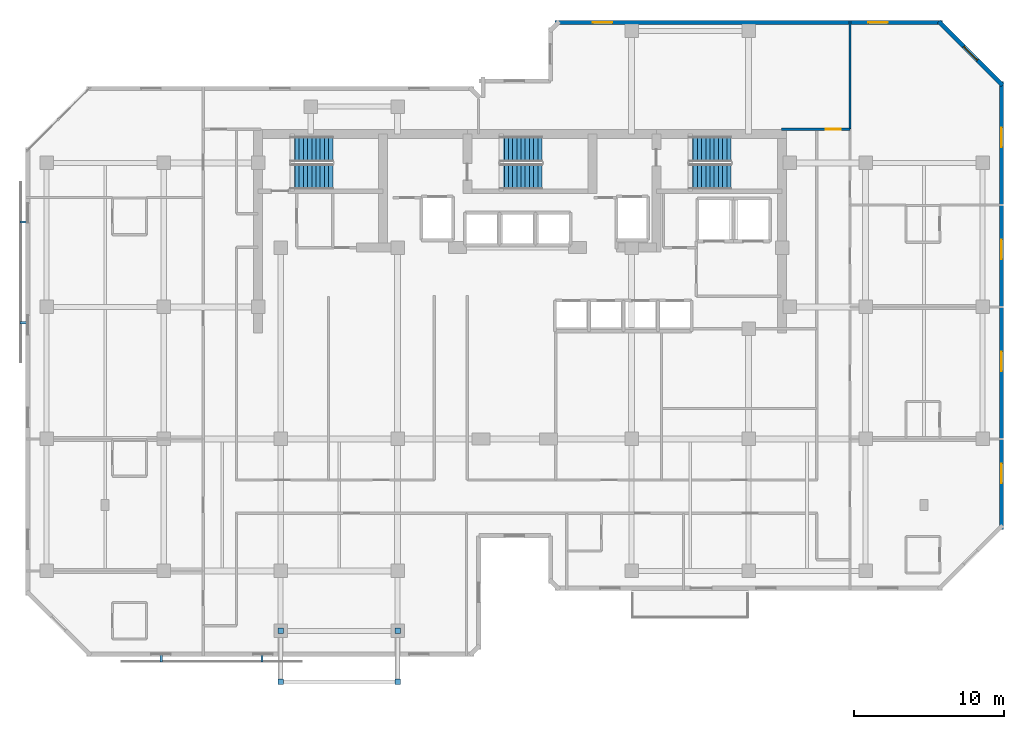
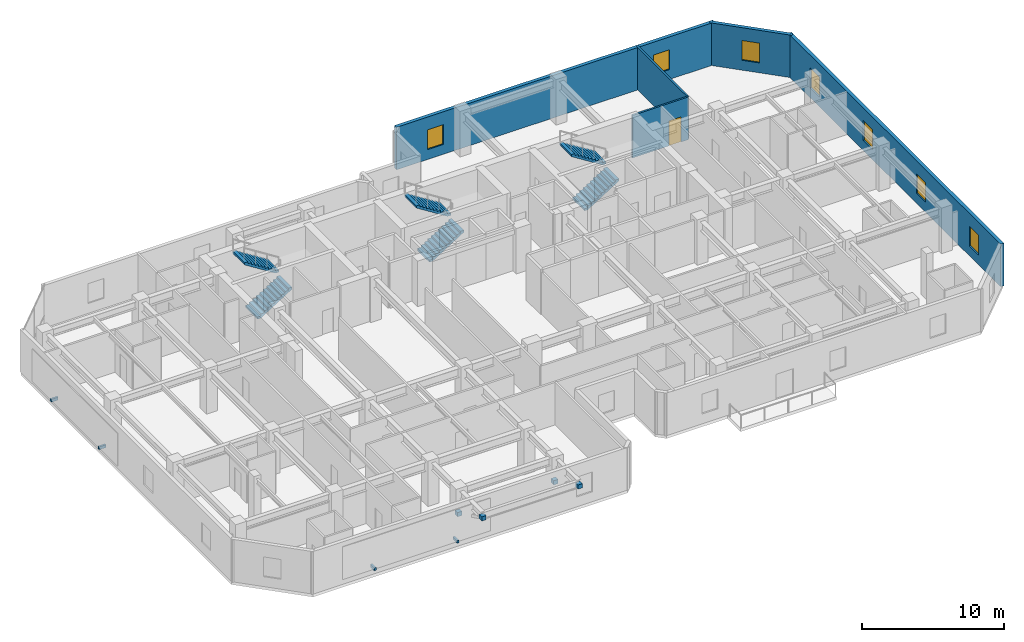
# One storey, part 8 of 10: 8 discrete accessories, 7 windows, 6 stair flights, 5 walls, 1 door, 8 openings, 3 elements without a shape of their own.
"""IFC4 building model written with IfcOpenShell, lengths in metres."""

import ifcopenshell
import ifcopenshell.guid

model = None  # the IFC model being written
_history = None  # IfcOwnerHistory: only IFC2X3 demands one
_inside = {}  # id of a spatial element -> (the spatial element, [elements in it])
_under = {}  # id of a project, library or spatial element -> (it, [spatial elements below it])
_declared = {}  # id of a project -> (the project, [libraries it declares])
_typed = {}  # id of a type object -> (the type object, [elements of that type])
_made_of = {}  # id of a material, layer set ... -> (it, [elements and type objects made of it])


def new_model(schema):
    """Start an empty IFC model of exactly this schema.

    Asked for "IFC4X3", IfcOpenShell would pick the latest addendum, in which some entities
    have other attributes; the version numbers below select the first issue.
    IFC2X3 requires an IfcOwnerHistory on every rooted entity: one is made here for all.
    """
    global model, _history
    if schema == "IFC4X3":
        model = ifcopenshell.file(schema_version=(4, 3, 0, 0))
    else:
        model = ifcopenshell.file(schema=schema)
    _inside.clear()
    _under.clear()
    _declared.clear()
    _typed.clear()
    _made_of.clear()
    _history = None
    if model.schema == "IFC2X3":
        org = make("IfcOrganization", Name="unknown")
        user = make(
            "IfcPersonAndOrganization",
            ThePerson=make("IfcPerson", FamilyName="unknown"),
            TheOrganization=org,
        )
        app = make(
            "IfcApplication",
            ApplicationDeveloper=org,
            Version="unknown",
            ApplicationFullName="unknown",
            ApplicationIdentifier="unknown",
        )
        _history = make(
            "IfcOwnerHistory",
            OwningUser=user,
            OwningApplication=app,
            ChangeAction="ADDED",
            CreationDate=0,
        )
    return model


def make(cls, **values):
    """One entity of the class cls with the attributes given. An attribute that is None is left unset."""
    return model.create_entity(
        cls, **{name: value for name, value in values.items() if value is not None}
    )


def rooted(cls, **values):
    """An entity with a GlobalId (a new one), such as an element, a storey or a relation."""
    return make(cls, GlobalId=ifcopenshell.guid.new(), OwnerHistory=_history, **values)


def si_unit(unit_type, name, prefix=None):
    """IfcSIUnit, for example si_unit("LENGTHUNIT", "METRE", prefix="MILLI")."""
    return make("IfcSIUnit", UnitType=unit_type, Prefix=prefix, Name=name)


def assignment(units):
    """IfcUnitAssignment: the units of a project."""
    return None if units is None else make("IfcUnitAssignment", Units=units)


def point(xyz):
    """IfcCartesianPoint."""
    return None if xyz is None else make("IfcCartesianPoint", Coordinates=xyz)


def direction(xyz):
    """IfcDirection."""
    return None if xyz is None else make("IfcDirection", DirectionRatios=xyz)


def frame(location, z_axis=None, x_axis=None):
    """IfcAxis2Placement3D, a coordinate frame: its origin and axes. An axis left out is left unset."""
    return make(
        "IfcAxis2Placement3D",
        Location=point(location),
        Axis=direction(z_axis),
        RefDirection=direction(x_axis),
    )


def frame_2d(location, x_axis=None):
    """IfcAxis2Placement2D, a coordinate frame in the plane: its origin and x axis."""
    return make(
        "IfcAxis2Placement2D", Location=point(location), RefDirection=direction(x_axis)
    )


def origin():
    """The frame at (0, 0, 0) with its axes left unset."""
    return frame((0.0, 0.0, 0.0))


def origin_2d():
    """The frame at (0, 0) in the plane with its x axis left unset."""
    return frame_2d((0.0, 0.0))


def place(relative_to, where):
    """IfcLocalPlacement: puts the frame where relative to a parent placement (None: the world)."""
    return make(
        "IfcLocalPlacement", PlacementRelTo=relative_to, RelativePlacement=where
    )


def context(
    kind, dimensions, precision=None, world=None, true_north=None, identifier=None
):
    """IfcGeometricRepresentationContext, for example the 3D "Model" context."""
    return make(
        "IfcGeometricRepresentationContext",
        ContextIdentifier=identifier,
        ContextType=kind,
        CoordinateSpaceDimension=dimensions,
        Precision=precision,
        WorldCoordinateSystem=world,
        TrueNorth=true_north,
    )


def subcontext(parent, identifier, kind, view, scale=None):
    """IfcGeometricRepresentationSubContext, for example "Body" below "Model"."""
    return make(
        "IfcGeometricRepresentationSubContext",
        ContextIdentifier=identifier,
        ContextType=kind,
        ParentContext=parent,
        TargetScale=scale,
        TargetView=view,
    )


def project(units=None, contexts=None):
    """IfcProject with its units and contexts."""
    return rooted(
        "IfcProject",
        Name="project",
        RepresentationContexts=contexts,
        UnitsInContext=assignment(units),
    )


def spatial(cls, under=None, at=None, **own):
    """A site, building, storey or space (cls), placed at a placement, below another one or the project."""
    s = rooted(cls, ObjectPlacement=at, **own)
    if under is not None:
        _under.setdefault(under.id(), (under, []))[1].append(s)
    return s


def polyline(points):
    """IfcPolyline through the points."""
    return make("IfcPolyline", Points=[point(p) for p in points])


def profile(cls, at=None, kind="AREA", **sizes):
    """A parametric profile (cls). Its sizes go by their IFC names, for example OverallWidth=200.0."""
    return make(cls, ProfileType=kind, Position=at, **sizes)


def rectangle(**sizes):
    """IfcRectangleProfileDef."""
    return profile("IfcRectangleProfileDef", **sizes)


def outline(outer, holes=None, kind="AREA"):
    """IfcArbitraryClosedProfileDef: a profile drawn as a closed curve; with holes, ...WithVoids."""
    if holes is None:
        return make("IfcArbitraryClosedProfileDef", ProfileType=kind, OuterCurve=outer)
    return make(
        "IfcArbitraryProfileDefWithVoids",
        ProfileType=kind,
        OuterCurve=outer,
        InnerCurves=holes,
    )


def extrude(swept, where, along, depth):
    """IfcExtrudedAreaSolid: the profile swept, set in the frame where, extruded along a direction by depth."""
    return make(
        "IfcExtrudedAreaSolid",
        SweptArea=swept,
        Position=where,
        ExtrudedDirection=direction(along),
        Depth=depth,
    )


def shape(context_of_items, identifier, shape_type, items):
    """IfcShapeRepresentation: the items that make up one representation, for example the "Body"."""
    return make(
        "IfcShapeRepresentation",
        ContextOfItems=context_of_items,
        RepresentationIdentifier=identifier,
        RepresentationType=shape_type,
        Items=items,
    )


def material(Name=None, Category=None):
    """IfcMaterial."""
    return make("IfcMaterial", Name=Name, Category=Category)


def layer(
    of_material, thickness, ventilated=None, Name=None, Category=None, Priority=None
):
    """IfcMaterialLayer: one layer of a wall or slab, of a material (None: an air gap)."""
    return make(
        "IfcMaterialLayer",
        Material=of_material,
        LayerThickness=thickness,
        IsVentilated=ventilated,
        Name=Name,
        Category=Category,
        Priority=Priority,
    )


def layer_set(layers, Name=None):
    """IfcMaterialLayerSet."""
    return make("IfcMaterialLayerSet", MaterialLayers=layers, LayerSetName=Name)


def made_of(thing, what):
    """Note that an element or type object is made of a material, layer set ...; save() writes the relation."""
    if what is not None:
        _made_of.setdefault(what.id(), (what, []))[1].append(thing)
    return thing


def type_object(cls, material=None, **own):
    """A type object (cls), such as IfcWallType, which elements share."""
    return made_of(rooted(cls, **own), material)


def element(
    cls,
    number,
    at=None,
    inside=None,
    cuts=None,
    type_object=None,
    material=None,
    context=None,
    identifier="Body",
    shape_type=None,
    held_by="IfcProductDefinitionShape",
    body=None,
    shapes=None,
    **own,
):
    """One element of the class cls, such as IfcWall. Its Tag is "e" and its number.

    at: its placement. inside: the storey or other place that contains it. cuts: it is an
    opening in that element (IfcRelVoidsElement). A single representation is given by context,
    identifier, shape_type and body (its items); several are given by shapes. held_by: the class
    of the entity that holds the representations. save() writes the other relations.
    """
    e = rooted(cls, Tag="e%d" % number, ObjectPlacement=at, **own)
    if body is not None:
        shapes = [shape(context, identifier, shape_type, body)]
    if shapes is not None:
        e.Representation = make(held_by, Representations=shapes)
    if inside is not None:
        _inside.setdefault(inside.id(), (inside, []))[1].append(e)
    if cuts is not None:
        rooted(
            "IfcRelVoidsElement", RelatingBuildingElement=cuts, RelatedOpeningElement=e
        )
    if type_object is not None:
        _typed.setdefault(type_object.id(), (type_object, []))[1].append(e)
    return made_of(e, material)


def fill(opening, filler):
    """IfcRelFillsElement: the door or window that sits in an opening."""
    return rooted(
        "IfcRelFillsElement",
        RelatingOpeningElement=opening,
        RelatedBuildingElement=filler,
    )


def aggregate(whole, parts):
    """IfcRelAggregates: a whole, such as a stair, and the parts it consists of."""
    return rooted("IfcRelAggregates", RelatingObject=whole, RelatedObjects=parts)


def save(model, path):
    """Write the relations noted so far, then the file.

    IfcRelAggregates (storeys below a building ...), IfcRelContainedInSpatialStructure (elements
    in a storey), IfcRelDefinesByType, IfcRelAssociatesMaterial and IfcRelDeclares: one each for
    every whole, place, type object, material and project.
    """
    for whole, parts in _under.values():
        aggregate(whole, parts)
    for where, things in _inside.values():
        rooted(
            "IfcRelContainedInSpatialStructure",
            RelatedElements=things,
            RelatingStructure=where,
        )
    for kind, things in _typed.values():
        rooted("IfcRelDefinesByType", RelatedObjects=things, RelatingType=kind)
    for what, things in _made_of.values():
        rooted("IfcRelAssociatesMaterial", RelatedObjects=things, RelatingMaterial=what)
    for by, libraries in _declared.values():
        rooted("IfcRelDeclares", RelatingContext=by, RelatedDefinitions=libraries)
    model.write(path)


model = new_model("IFC4")

# Units and contexts
model_context = context("Model", 3, precision=1e-05, world=origin(), true_north=direction((0.0, 1.0)))
body_context = subcontext(model_context, "Body", "Model", "MODEL_VIEW")
ifc_project = project(units=[si_unit("LENGTHUNIT", "METRE"), si_unit("AREAUNIT", "SQUARE_METRE"), si_unit("VOLUMEUNIT", "CUBIC_METRE"), si_unit("PLANEANGLEUNIT", "RADIAN"), si_unit("MASSUNIT", "GRAM", prefix="KILO")], contexts=[model_context])

# Site, building, storey
site_placement = place(None, origin())
site = spatial("IfcSite", under=ifc_project, at=site_placement, CompositionType="ELEMENT")
building_placement = place(site_placement, origin())
building = spatial("IfcBuilding", under=site, at=building_placement, Name="Kestravale Grand Hotel", CompositionType="ELEMENT")
storey_placement = place(building_placement, frame((0.0, 0.0, 196.800048828125)))
storey = spatial("IfcBuildingStorey", under=building, at=storey_placement, Name="L49", CompositionType="ELEMENT", Elevation=196.800048828125)

# Wall, openings, windows
ifc_material_1 = material(Name="Precast concrete f'c 45 MPa", Category="concrete")
ifc_layer_1 = layer(ifc_material_1, 0.280029296875)
ifc_layer_set_1 = layer_set([ifc_layer_1], Name="EW-PREC-280")
wall_type_1 = type_object("IfcWallType", Name="EW-PREC-280", PredefinedType="SOLIDWALL", material=ifc_layer_set_1)
wall_1_placement = place(storey_placement, frame((71.4599609375, 13.9599609375, 0.0), z_axis=(0.0, 0.0, 1.0), x_axis=(0.0, 1.0, 0.0)))
wall_1 = element("IfcWall", 1, at=wall_1_placement, inside=storey, type_object=wall_type_1, Name="L49 fluted precast facade wall 9", PredefinedType="SOLIDWALL", context=body_context, shape_type="SweptSolid", body=[
    extrude(rectangle(XDim=29.880126953125, YDim=0.280029296875, at=frame_2d((14.93994140625, 0.0))), origin(), (0.0, 0.0, 1.0), 3.64990234375),
])
opening_1_placement = place(wall_1_placement, frame((3.0849609375, 0.0, 0.85009765625)))
opening_1 = element("IfcOpeningElement", 2, at=opening_1_placement, cuts=wall_1, Name="Opening W-GUEST-1300", PredefinedType="OPENING", context=body_context, shape_type="SweptSolid", body=[
    extrude(rectangle(XDim=1.300048828125, YDim=1.699951171875, at=frame_2d((0.64990234375, 0.85009765625))), frame((0.0, 0.14990234375, 0.0), z_axis=(0.0, -1.0, 0.0), x_axis=(1.0, 0.0, 0.0)), (0.0, 0.0, 1.0), 0.300048828125),
])
opening_2_placement = place(wall_1_placement, frame((10.554931640625, 0.0, 0.85009765625)))
opening_2 = element("IfcOpeningElement", 3, at=opening_2_placement, cuts=wall_1, Name="Opening W-GUEST-1300", PredefinedType="OPENING", context=body_context, shape_type="SweptSolid", body=[
    extrude(rectangle(XDim=1.300048828125, YDim=1.699951171875, at=frame_2d((0.64990234375, 0.85009765625))), frame((0.0, 0.14990234375, 0.0), z_axis=(0.0, -1.0, 0.0), x_axis=(1.0, 0.0, 0.0)), (0.0, 0.0, 1.0), 0.300048828125),
])
opening_3_placement = place(wall_1_placement, frame((18.02490234375, 0.0, 0.85009765625)))
opening_3 = element("IfcOpeningElement", 4, at=opening_3_placement, cuts=wall_1, Name="Opening W-GUEST-1300", PredefinedType="OPENING", context=body_context, shape_type="SweptSolid", body=[
    extrude(rectangle(XDim=1.300048828125, YDim=1.699951171875, at=frame_2d((0.64990234375, 0.85009765625))), frame((0.0, 0.14990234375, 0.0), z_axis=(0.0, -1.0, 0.0), x_axis=(1.0, 0.0, 0.0)), (0.0, 0.0, 1.0), 0.300048828125),
])
opening_4_placement = place(wall_1_placement, frame((25.4951171875, 0.0, 0.85009765625)))
opening_4 = element("IfcOpeningElement", 5, at=opening_4_placement, cuts=wall_1, Name="Opening W-GUEST-1300", PredefinedType="OPENING", context=body_context, shape_type="SweptSolid", body=[
    extrude(rectangle(XDim=1.300048828125, YDim=1.699951171875, at=frame_2d((0.64990234375, 0.85009765625))), frame((0.0, 0.14990234375, 0.0), z_axis=(0.0, -1.0, 0.0), x_axis=(1.0, 0.0, 0.0)), (0.0, 0.0, 1.0), 0.300048828125),
])
ifc_material_2 = material(Name="Insulated low-E double glazing in aluminium frame", Category="aluminium")
window_type = type_object("IfcWindowType", Name="W-GUEST-1300", PartitioningType="SINGLE_PANEL", PredefinedType="WINDOW", material=ifc_material_2)
window_1_placement = place(opening_1_placement, origin())
window_1 = element("IfcWindow", 6, at=window_1_placement, inside=storey, type_object=window_type, Name="L49 exterior window 9.1", OverallHeight=1.699951171875, OverallWidth=1.300048828125, PartitioningType="SINGLE_PANEL", PredefinedType="WINDOW", context=body_context, shape_type="SweptSolid", body=[
    extrude(rectangle(XDim=1.300048828125, YDim=1.699951171875, at=frame_2d((0.64990234375, 0.85009765625))), frame((0.0, 0.030029296875, 0.0), z_axis=(0.0, -1.0, 0.0), x_axis=(1.0, 0.0, 0.0)), (0.0, 0.0, 1.0), 0.06005859375),
])
fill(opening_1, window_1)
window_2_placement = place(opening_2_placement, origin())
window_2 = element("IfcWindow", 7, at=window_2_placement, inside=storey, type_object=window_type, Name="L49 exterior window 9.2", OverallHeight=1.699951171875, OverallWidth=1.300048828125, PartitioningType="SINGLE_PANEL", PredefinedType="WINDOW", context=body_context, shape_type="SweptSolid", body=[
    extrude(rectangle(XDim=1.300048828125, YDim=1.699951171875, at=frame_2d((0.64990234375, 0.85009765625))), frame((0.0, 0.030029296875, 0.0), z_axis=(0.0, -1.0, 0.0), x_axis=(1.0, 0.0, 0.0)), (0.0, 0.0, 1.0), 0.06005859375),
])
fill(opening_2, window_2)
window_3_placement = place(opening_3_placement, origin())
window_3 = element("IfcWindow", 8, at=window_3_placement, inside=storey, type_object=window_type, Name="L49 exterior window 9.3", OverallHeight=1.699951171875, OverallWidth=1.300048828125, PartitioningType="SINGLE_PANEL", PredefinedType="WINDOW", context=body_context, shape_type="SweptSolid", body=[
    extrude(rectangle(XDim=1.300048828125, YDim=1.699951171875, at=frame_2d((0.64990234375, 0.85009765625))), frame((0.0, 0.030029296875, 0.0), z_axis=(0.0, -1.0, 0.0), x_axis=(1.0, 0.0, 0.0)), (0.0, 0.0, 1.0), 0.06005859375),
])
fill(opening_3, window_3)
window_4_placement = place(opening_4_placement, origin())
window_4 = element("IfcWindow", 9, at=window_4_placement, inside=storey, type_object=window_type, Name="L49 exterior window 9.4", OverallHeight=1.699951171875, OverallWidth=1.300048828125, PartitioningType="SINGLE_PANEL", PredefinedType="WINDOW", context=body_context, shape_type="SweptSolid", body=[
    extrude(rectangle(XDim=1.300048828125, YDim=1.699951171875, at=frame_2d((0.64990234375, 0.85009765625))), frame((0.0, 0.030029296875, 0.0), z_axis=(0.0, -1.0, 0.0), x_axis=(1.0, 0.0, 0.0)), (0.0, 0.0, 1.0), 0.06005859375),
])
fill(opening_4, window_4)

# Wall, opening, window
wall_2_placement = place(storey_placement, frame((71.529296875, 43.57275390625, 0.0), z_axis=(0.0, 0.0, 1.0), x_axis=(-0.707106781187, 0.707106781187, 0.0)))
wall_2 = element("IfcWall", 10, at=wall_2_placement, inside=storey, type_object=wall_type_1, Name="L49 fluted precast facade wall 10", PredefinedType="SOLIDWALL", context=body_context, shape_type="SweptSolid", body=[
    extrude(rectangle(XDim=6.019775390625, YDim=0.280029296875, at=frame_2d((3.009765625, 0.0))), origin(), (0.0, 0.0, 1.0), 3.64990234375),
])
opening_5_placement = place(wall_2_placement, frame((2.35986328125, 0.0, 0.85009765625)))
opening_5 = element("IfcOpeningElement", 11, at=opening_5_placement, cuts=wall_2, Name="Opening W-GUEST-1300", PredefinedType="OPENING", context=body_context, shape_type="SweptSolid", body=[
    extrude(rectangle(XDim=1.300048828125, YDim=1.699951171875, at=frame_2d((0.64990234375, 0.85009765625))), frame((0.0, 0.14990234375, 0.0), z_axis=(0.0, -1.0, 0.0), x_axis=(1.0, 0.0, 0.0)), (0.0, 0.0, 1.0), 0.300048828125),
])
window_5_placement = place(opening_5_placement, origin())
window_5 = element("IfcWindow", 12, at=window_5_placement, inside=storey, type_object=window_type, Name="L49 exterior window 10.1", OverallHeight=1.699951171875, OverallWidth=1.300048828125, PartitioningType="SINGLE_PANEL", PredefinedType="WINDOW", context=body_context, shape_type="SweptSolid", body=[
    extrude(rectangle(XDim=1.300048828125, YDim=1.699951171875, at=frame_2d((0.64990234375, 0.85009765625))), frame((0.0, 0.030029296875, 0.0), z_axis=(0.0, -1.0, 0.0), x_axis=(1.0, 0.0, 0.0)), (0.0, 0.0, 1.0), 0.06005859375),
])
fill(opening_5, window_5)

# Wall, openings, windows
wall_3_placement = place(storey_placement, frame((67.5400390625, 47.760009765625, 0.0), z_axis=(0.0, 0.0, 1.0), x_axis=(-1.0, 0.0, 0.0)))
wall_3 = element("IfcWall", 13, at=wall_3_placement, inside=storey, type_object=wall_type_1, Name="L49 fluted precast facade wall 11", PredefinedType="SOLIDWALL", context=body_context, shape_type="SweptSolid", body=[
    extrude(rectangle(XDim=25.830078125, YDim=0.280029296875, at=frame_2d((12.9150390625, 0.0))), origin(), (0.0, 0.0, 1.0), 3.64990234375),
])
opening_6_placement = place(wall_3_placement, frame((3.655029296875, 0.0, 0.85009765625)))
opening_6 = element("IfcOpeningElement", 14, at=opening_6_placement, cuts=wall_3, Name="Opening W-GUEST-1300", PredefinedType="OPENING", context=body_context, shape_type="SweptSolid", body=[
    extrude(rectangle(XDim=1.300048828125, YDim=1.699951171875, at=frame_2d((0.64990234375, 0.85009765625))), frame((0.0, 0.14990234375, 0.0), z_axis=(0.0, -1.0, 0.0), x_axis=(1.0, 0.0, 0.0)), (0.0, 0.0, 1.0), 0.300048828125),
])
opening_7_placement = place(wall_3_placement, frame((22.02490234375, 0.0, 0.85009765625)))
opening_7 = element("IfcOpeningElement", 15, at=opening_7_placement, cuts=wall_3, Name="Opening W-GUEST-1300", PredefinedType="OPENING", context=body_context, shape_type="SweptSolid", body=[
    extrude(rectangle(XDim=1.300048828125, YDim=1.699951171875, at=frame_2d((0.64990234375, 0.85009765625))), frame((0.0, 0.14990234375, 0.0), z_axis=(0.0, -1.0, 0.0), x_axis=(1.0, 0.0, 0.0)), (0.0, 0.0, 1.0), 0.300048828125),
])
window_6_placement = place(opening_6_placement, origin())
window_6 = element("IfcWindow", 16, at=window_6_placement, inside=storey, type_object=window_type, Name="L49 exterior window 11.1", OverallHeight=1.699951171875, OverallWidth=1.300048828125, PartitioningType="SINGLE_PANEL", PredefinedType="WINDOW", context=body_context, shape_type="SweptSolid", body=[
    extrude(rectangle(XDim=1.300048828125, YDim=1.699951171875, at=frame_2d((0.64990234375, 0.85009765625))), frame((0.0, 0.030029296875, 0.0), z_axis=(0.0, -1.0, 0.0), x_axis=(1.0, 0.0, 0.0)), (0.0, 0.0, 1.0), 0.06005859375),
])
fill(opening_6, window_6)
window_7_placement = place(opening_7_placement, origin())
window_7 = element("IfcWindow", 17, at=window_7_placement, inside=storey, type_object=window_type, Name="L49 exterior window 11.2", OverallHeight=1.699951171875, OverallWidth=1.300048828125, PartitioningType="SINGLE_PANEL", PredefinedType="WINDOW", context=body_context, shape_type="SweptSolid", body=[
    extrude(rectangle(XDim=1.300048828125, YDim=1.699951171875, at=frame_2d((0.64990234375, 0.85009765625))), frame((0.0, 0.030029296875, 0.0), z_axis=(0.0, -1.0, 0.0), x_axis=(1.0, 0.0, 0.0)), (0.0, 0.0, 1.0), 0.06005859375),
])
fill(opening_7, window_7)

# Wall, opening, door
ifc_material_3 = material(Name="Double-stud STC 52 acoustic demising partition", Category="other")
ifc_layer_2 = layer(ifc_material_3, 0.14990234375)
ifc_layer_set_2 = layer_set([ifc_layer_2], Name="IW-UNIT-150")
wall_type_2 = type_object("IfcWallType", Name="IW-UNIT-150", PredefinedType="PARTITIONING", material=ifc_layer_set_2)
wall_4_placement = place(storey_placement, frame((56.800048828125, 40.64990234375, 0.0), z_axis=(0.0, 0.0, 1.0), x_axis=(1.0, 0.0, 0.0)))
wall_4 = element("IfcWall", 18, at=wall_4_placement, inside=storey, type_object=wall_type_2, Name="W-L49-SE-N", PredefinedType="PARTITIONING", context=body_context, shape_type="SweptSolid", body=[
    extrude(rectangle(XDim=4.56005859375, YDim=0.14990234375, at=frame_2d((2.280029296875, 0.0))), origin(), (0.0, 0.0, 1.0), 3.64990234375),
])
opening_8_placement = place(wall_4_placement, frame((2.949951171875, 0.0, 0.0)))
opening_8 = element("IfcOpeningElement", 19, at=opening_8_placement, cuts=wall_4, Name="Opening D-GUEST-1000", PredefinedType="OPENING", context=body_context, shape_type="SweptSolid", body=[
    extrude(rectangle(XDim=1.0, YDim=2.14990234375, at=frame_2d((0.5, 1.074951171875))), frame((0.0, 0.0849609375, 0.0), z_axis=(0.0, -1.0, 0.0), x_axis=(1.0, 0.0, 0.0)), (0.0, 0.0, 1.0), 0.169921875),
])
ifc_material_4 = material(Name="Accessible walnut veneer hotel entrance fire door", Category="wood")
door_type = type_object("IfcDoorType", Name="D-GUEST-1000", OperationType="NOTDEFINED", PredefinedType="DOOR", material=ifc_material_4)
door_placement = place(opening_8_placement, origin())
door = element("IfcDoor", 20, at=door_placement, inside=storey, type_object=door_type, Name="L49 NE Gallery Door", OperationType="SINGLE_SWING_LEFT", OverallHeight=2.14990234375, OverallWidth=1.0, PredefinedType="DOOR", context=body_context, shape_type="SweptSolid", body=[
    extrude(rectangle(XDim=1.0, YDim=2.14990234375, at=frame_2d((0.5, 1.074951171875))), frame((0.0, 0.02490234375, 0.0), z_axis=(0.0, -1.0, 0.0), x_axis=(1.0, 0.0, 0.0)), (0.0, 0.0, 1.0), 0.050048828125),
])
fill(opening_8, door)

# Wall
wall_5_placement = place(storey_placement, frame((61.360107421875, 40.64990234375, 0.0), z_axis=(0.0, 0.0, 1.0), x_axis=(0.0, 1.0, 0.0)))
element("IfcWall", 21, at=wall_5_placement, inside=storey, type_object=wall_type_2, Name="W-L49-NGE-E", PredefinedType="PARTITIONING", context=body_context, shape_type="SweptSolid", body=[
    extrude(rectangle(XDim=7.22998046875, YDim=0.14990234375, at=frame_2d((3.614990234375, 0.0))), origin(), (0.0, 0.0, 1.0), 3.64990234375),
])

# Stair, stair flights
ifc_material_5 = material(Name="Concrete f'c 45 MPa", Category="concrete")
stair_type = type_object("IfcStairType", Name="ST-CORE-390", PredefinedType="HALF_TURN_STAIR", material=ifc_material_5)
stair_1_placement = place(storey_placement, origin())
stair_1 = element("IfcStair", 22, at=stair_1_placement, inside=storey, type_object=stair_type, Name="L49 ST-1", PredefinedType="HALF_TURN_STAIR")
ifc_material_6 = material(Name="Concrete f'c 45 MPa", Category="concrete")
stair_flight_type = type_object("IfcStairFlightType", Name="STF-CORE-390", PredefinedType="STRAIGHT", material=ifc_material_6)
stair_flight_1_placement = place(storey_placement, frame((24.080078125, 37.489990234375, 0.0), z_axis=(0.0, 0.0, 1.0), x_axis=(1.0, 0.0, 0.0)))
stair_flight_1 = element("IfcStairFlight", 23, at=stair_flight_1_placement, type_object=stair_flight_type, Name="ST-1 flight 1", NumberOfRisers=11, NumberOfTreads=10, PredefinedType="STRAIGHT", RiserHeight=0.177272727, TreadLength=0.28, context=body_context, shape_type="SweptSolid", body=[
    extrude(outline(polyline([(0.0, 0.0), (0.0, 0.17724609375), (0.280029296875, 0.17724609375), (0.280029296875, 0.3544921875), (0.56005859375, 0.3544921875), (0.56005859375, 0.53173828125), (0.840087890625, 0.53173828125), (0.840087890625, 0.708984375), (1.1201171875, 0.708984375), (1.1201171875, 0.886474609375), (1.39990234375, 0.886474609375), (1.39990234375, 1.063720703125), (1.679931640625, 1.063720703125), (1.679931640625, 1.240966796875), (1.9599609375, 1.240966796875), (1.9599609375, 1.418212890625), (2.239990234375, 1.418212890625), (2.239990234375, 1.595458984375), (2.52001953125, 1.595458984375), (2.52001953125, 1.772705078125), (2.800048828125, 1.772705078125), (2.800048828125, 1.949951171875), (2.800048828125, 1.59521484375), (0.2802734375, 0.0), (0.0, 0.0)])), frame((0.0, 0.83984375, 0.0), z_axis=(0.0, -1.0, 0.0), x_axis=(1.0, 0.0, 0.0)), (0.0, 0.0, 1.0), 1.679931640625),
])
stair_flight_2_placement = place(storey_placement, frame((26.8798828125, 39.320068359375, 1.949951171875), z_axis=(0.0, 0.0, 1.0), x_axis=(-1.0, 0.0, 0.0)))
stair_flight_2 = element("IfcStairFlight", 24, at=stair_flight_2_placement, type_object=stair_flight_type, Name="ST-1 flight 2", NumberOfRisers=11, NumberOfTreads=10, PredefinedType="STRAIGHT", RiserHeight=0.177272727, TreadLength=0.28, context=body_context, shape_type="SweptSolid", body=[
    extrude(outline(polyline([(0.0, 0.0), (0.0, 0.17724609375), (0.280029296875, 0.17724609375), (0.280029296875, 0.3544921875), (0.56005859375, 0.3544921875), (0.56005859375, 0.53173828125), (0.840087890625, 0.53173828125), (0.840087890625, 0.708984375), (1.1201171875, 0.708984375), (1.1201171875, 0.886474609375), (1.39990234375, 0.886474609375), (1.39990234375, 1.063720703125), (1.679931640625, 1.063720703125), (1.679931640625, 1.240966796875), (1.9599609375, 1.240966796875), (1.9599609375, 1.418212890625), (2.239990234375, 1.418212890625), (2.239990234375, 1.595458984375), (2.52001953125, 1.595458984375), (2.52001953125, 1.772705078125), (2.800048828125, 1.772705078125), (2.800048828125, 1.949951171875), (2.800048828125, 1.59521484375), (0.2802734375, 0.0), (0.0, 0.0)])), frame((0.0, 0.83984375, 0.0), z_axis=(0.0, -1.0, 0.0), x_axis=(1.0, 0.0, 0.0)), (0.0, 0.0, 1.0), 1.679931640625),
])
aggregate(stair_1, [stair_flight_1, stair_flight_2])

stair_2_placement = place(storey_placement, origin())
stair_2 = element("IfcStair", 25, at=stair_2_placement, inside=storey, type_object=stair_type, Name="L49 ST-2", PredefinedType="HALF_TURN_STAIR")
stair_flight_3_placement = place(storey_placement, frame((38.030029296875, 37.489990234375, 0.0), z_axis=(0.0, 0.0, 1.0), x_axis=(1.0, 0.0, 0.0)))
stair_flight_3 = element("IfcStairFlight", 26, at=stair_flight_3_placement, type_object=stair_flight_type, Name="ST-2 flight 1", NumberOfRisers=11, NumberOfTreads=10, PredefinedType="STRAIGHT", RiserHeight=0.177272727, TreadLength=0.28, context=body_context, shape_type="SweptSolid", body=[
    extrude(outline(polyline([(0.0, 0.0), (0.0, 0.17724609375), (0.280029296875, 0.17724609375), (0.280029296875, 0.3544921875), (0.56005859375, 0.3544921875), (0.56005859375, 0.53173828125), (0.840087890625, 0.53173828125), (0.840087890625, 0.708984375), (1.1201171875, 0.708984375), (1.1201171875, 0.886474609375), (1.39990234375, 0.886474609375), (1.39990234375, 1.063720703125), (1.679931640625, 1.063720703125), (1.679931640625, 1.240966796875), (1.9599609375, 1.240966796875), (1.9599609375, 1.418212890625), (2.239990234375, 1.418212890625), (2.239990234375, 1.595458984375), (2.52001953125, 1.595458984375), (2.52001953125, 1.772705078125), (2.800048828125, 1.772705078125), (2.800048828125, 1.949951171875), (2.800048828125, 1.59521484375), (0.2802734375, 0.0), (0.0, 0.0)])), frame((0.0, 0.83984375, 0.0), z_axis=(0.0, -1.0, 0.0), x_axis=(1.0, 0.0, 0.0)), (0.0, 0.0, 1.0), 1.679931640625),
])
stair_flight_4_placement = place(storey_placement, frame((40.830078125, 39.320068359375, 1.949951171875), z_axis=(0.0, 0.0, 1.0), x_axis=(-1.0, 0.0, 0.0)))
stair_flight_4 = element("IfcStairFlight", 27, at=stair_flight_4_placement, type_object=stair_flight_type, Name="ST-2 flight 2", NumberOfRisers=11, NumberOfTreads=10, PredefinedType="STRAIGHT", RiserHeight=0.177272727, TreadLength=0.28, context=body_context, shape_type="SweptSolid", body=[
    extrude(outline(polyline([(0.0, 0.0), (0.0, 0.17724609375), (0.280029296875, 0.17724609375), (0.280029296875, 0.3544921875), (0.56005859375, 0.3544921875), (0.56005859375, 0.53173828125), (0.840087890625, 0.53173828125), (0.840087890625, 0.708984375), (1.1201171875, 0.708984375), (1.1201171875, 0.886474609375), (1.39990234375, 0.886474609375), (1.39990234375, 1.063720703125), (1.679931640625, 1.063720703125), (1.679931640625, 1.240966796875), (1.9599609375, 1.240966796875), (1.9599609375, 1.418212890625), (2.239990234375, 1.418212890625), (2.239990234375, 1.595458984375), (2.52001953125, 1.595458984375), (2.52001953125, 1.772705078125), (2.800048828125, 1.772705078125), (2.800048828125, 1.949951171875), (2.800048828125, 1.59521484375), (0.2802734375, 0.0), (0.0, 0.0)])), frame((0.0, 0.83984375, 0.0), z_axis=(0.0, -1.0, 0.0), x_axis=(1.0, 0.0, 0.0)), (0.0, 0.0, 1.0), 1.679931640625),
])
aggregate(stair_2, [stair_flight_3, stair_flight_4])

stair_3_placement = place(storey_placement, origin())
stair_3 = element("IfcStair", 28, at=stair_3_placement, inside=storey, type_object=stair_type, Name="L49 ST-3", PredefinedType="HALF_TURN_STAIR")
stair_flight_5_placement = place(storey_placement, frame((50.6298828125, 37.489990234375, 0.0), z_axis=(0.0, 0.0, 1.0), x_axis=(1.0, 0.0, 0.0)))
stair_flight_5 = element("IfcStairFlight", 29, at=stair_flight_5_placement, type_object=stair_flight_type, Name="ST-3 flight 1", NumberOfRisers=11, NumberOfTreads=10, PredefinedType="STRAIGHT", RiserHeight=0.177272727, TreadLength=0.28, context=body_context, shape_type="SweptSolid", body=[
    extrude(outline(polyline([(0.0, 0.0), (0.0, 0.17724609375), (0.280029296875, 0.17724609375), (0.280029296875, 0.3544921875), (0.56005859375, 0.3544921875), (0.56005859375, 0.53173828125), (0.840087890625, 0.53173828125), (0.840087890625, 0.708984375), (1.1201171875, 0.708984375), (1.1201171875, 0.886474609375), (1.39990234375, 0.886474609375), (1.39990234375, 1.063720703125), (1.679931640625, 1.063720703125), (1.679931640625, 1.240966796875), (1.9599609375, 1.240966796875), (1.9599609375, 1.418212890625), (2.239990234375, 1.418212890625), (2.239990234375, 1.595458984375), (2.52001953125, 1.595458984375), (2.52001953125, 1.772705078125), (2.800048828125, 1.772705078125), (2.800048828125, 1.949951171875), (2.800048828125, 1.59521484375), (0.2802734375, 0.0), (0.0, 0.0)])), frame((0.0, 0.83984375, 0.0), z_axis=(0.0, -1.0, 0.0), x_axis=(1.0, 0.0, 0.0)), (0.0, 0.0, 1.0), 1.679931640625),
])
stair_flight_6_placement = place(storey_placement, frame((53.429931640625, 39.320068359375, 1.949951171875), z_axis=(0.0, 0.0, 1.0), x_axis=(-1.0, 0.0, 0.0)))
stair_flight_6 = element("IfcStairFlight", 30, at=stair_flight_6_placement, type_object=stair_flight_type, Name="ST-3 flight 2", NumberOfRisers=11, NumberOfTreads=10, PredefinedType="STRAIGHT", RiserHeight=0.177272727, TreadLength=0.28, context=body_context, shape_type="SweptSolid", body=[
    extrude(outline(polyline([(0.0, 0.0), (0.0, 0.17724609375), (0.280029296875, 0.17724609375), (0.280029296875, 0.3544921875), (0.56005859375, 0.3544921875), (0.56005859375, 0.53173828125), (0.840087890625, 0.53173828125), (0.840087890625, 0.708984375), (1.1201171875, 0.708984375), (1.1201171875, 0.886474609375), (1.39990234375, 0.886474609375), (1.39990234375, 1.063720703125), (1.679931640625, 1.063720703125), (1.679931640625, 1.240966796875), (1.9599609375, 1.240966796875), (1.9599609375, 1.418212890625), (2.239990234375, 1.418212890625), (2.239990234375, 1.595458984375), (2.52001953125, 1.595458984375), (2.52001953125, 1.772705078125), (2.800048828125, 1.772705078125), (2.800048828125, 1.949951171875), (2.800048828125, 1.59521484375), (0.2802734375, 0.0), (0.0, 0.0)])), frame((0.0, 0.83984375, 0.0), z_axis=(0.0, -1.0, 0.0), x_axis=(1.0, 0.0, 0.0)), (0.0, 0.0, 1.0), 1.679931640625),
])
aggregate(stair_3, [stair_flight_5, stair_flight_6])

# Discrete accessories
ifc_material_7 = material(Name="Steel ASTM A572 Grade 50 hot-dip galvanised bracket", Category="steel")
discrete_accessory_type = type_object("IfcDiscreteAccessoryType", Name="ACC-BRK-STL", PredefinedType="BRACKET", material=ifc_material_7)
for number, where, z_axis, x_axis, name in (
    (31, (23.39990234375, 7.199951171875, 1.2939453125), (0.0, 0.0, 1.0), (1.0, 0.0, 0.0), "L50 terrace strut column bracket 1"),
    (32, (23.39990234375, 3.800048828125, 2.994140625), (0.0, 0.0, 1.0), (1.0, 0.0, 0.0), "L50 terrace strut beam bracket 1"),
    (33, (31.199951171875, 7.199951171875, 1.2939453125), (0.0, 0.0, 1.0), (1.0, 0.0, 0.0), "L50 terrace strut column bracket 2"),
    (34, (31.199951171875, 3.800048828125, 2.994140625), (0.0, 0.0, 1.0), (1.0, 0.0, 0.0), "L50 terrace strut beam bracket 2"),
):
    element("IfcDiscreteAccessory", number, at=place(storey_placement, frame(where, z_axis=z_axis, x_axis=x_axis)), inside=storey, type_object=discrete_accessory_type, Name=name, PredefinedType="BRACKET", context=body_context, shape_type="SweptSolid", body=[
        extrude(rectangle(XDim=0.360107421875, YDim=0.360107421875, at=origin_2d()), origin(), (0.0, 0.0, 1.0), 0.360107421875),
    ])
for number, where, z_axis, x_axis, name in (
    (35, (15.43994140625, 5.405029296875, 0.56005859375), (0.0, 0.0, 1.0), (1.0, 0.0, 0.0), "L49 solar screen standoff bracket 1"),
    (36, (22.159912109375, 5.405029296875, 0.56005859375), (0.0, 0.0, 1.0), (1.0, 0.0, 0.0), "L49 solar screen standoff bracket 2"),
    (37, (6.304931640625, 34.4599609375, 0.56005859375), (0.0, 0.0, 1.0), (0.0, -1.0, 0.0), "L49 solar screen standoff bracket 1"),
    (38, (6.304931640625, 27.739990234375, 0.56005859375), (0.0, 0.0, 1.0), (0.0, -1.0, 0.0), "L49 solar screen standoff bracket 2"),
):
    element("IfcDiscreteAccessory", number, at=place(storey_placement, frame(where, z_axis=z_axis, x_axis=x_axis)), inside=storey, type_object=discrete_accessory_type, Name=name, PredefinedType="BRACKET", context=body_context, shape_type="SweptSolid", body=[
        extrude(rectangle(XDim=0.159912109375, YDim=0.56005859375, at=origin_2d()), origin(), (0.0, 0.0, 1.0), 0.239990234375),
    ])

save(model, "model.ifc")
